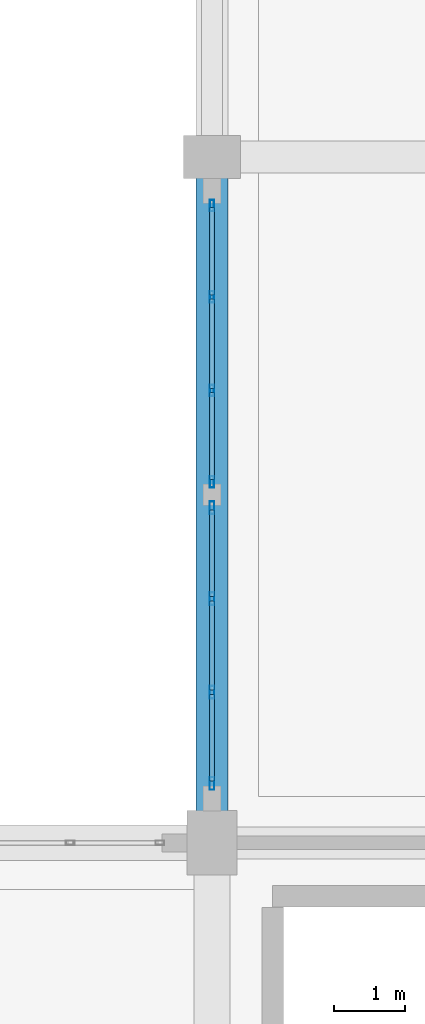
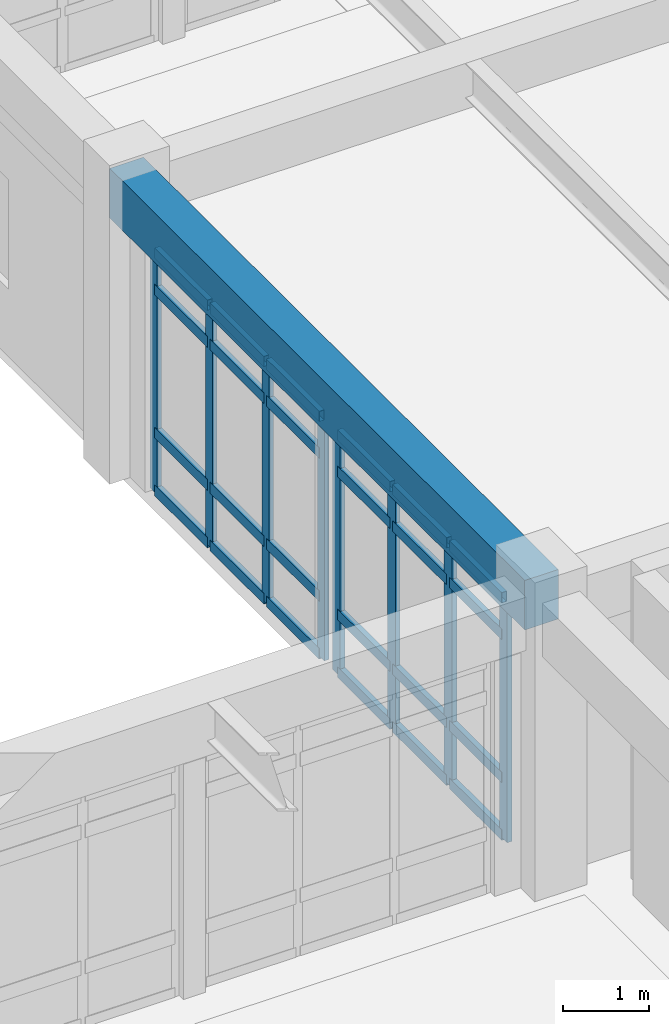
# One storey, part 14 of 109: 32 members, 1 beam, 2 elements without a shape of their own.
"""IFC4 building model written with IfcOpenShell, lengths in metres."""

from ifc_helpers import new_model, si_unit, direction, frame, origin, origin_2d, place, context, subcontext, project, spatial, rectangle, hollow_rectangle, extrude, material, layer, layer_set, material_profile, profile_set, type_object, element, aggregate, save


model = new_model("IFC4")

# Units and contexts
model_context = context("Model", 3, precision=1e-05, world=origin(), true_north=direction((0.0, 1.0)))
body_context = subcontext(model_context, "Body", "Model", "MODEL_VIEW")
ifc_project = project(units=[si_unit("LENGTHUNIT", "METRE"), si_unit("AREAUNIT", "SQUARE_METRE"), si_unit("VOLUMEUNIT", "CUBIC_METRE"), si_unit("PLANEANGLEUNIT", "RADIAN"), si_unit("MASSUNIT", "GRAM", prefix="KILO")], contexts=[model_context])

# Site, building, storey
site_placement = place(None, origin())
site = spatial("IfcSite", under=ifc_project, at=site_placement, CompositionType="ELEMENT")
building_placement = place(site_placement, origin())
building = spatial("IfcBuilding", under=site, at=building_placement, Name="Fikremerkos Civic Library", CompositionType="ELEMENT")
storey_placement = place(building_placement, frame((0.0, 0.0, 5.39990234375)))
storey = spatial("IfcBuildingStorey", under=building, at=storey_placement, Name="L01", CompositionType="ELEMENT", Elevation=5.39990234375)

# Curtain wall, members
ifc_material_1 = material(Name="Anodized aluminium Frame", Category="aluminium")
ifc_layer_1 = layer(ifc_material_1, 0.159912109375, Name="Anodized aluminium Frame")
ifc_layer_set_1 = layer_set([ifc_layer_1], Name="Anodized aluminium Frame")
curtain_wall_type_1 = type_object("IfcCurtainWallType", Name="Unitised curtain wall CW-09 3600x3400", PredefinedType="USERDEFINED", material=ifc_layer_set_1)
curtain_wall_1_placement = place(storey_placement, origin())
curtain_wall_1 = element("IfcCurtainWall", 1, at=curtain_wall_1_placement, inside=storey, type_object=curtain_wall_type_1, Name="Unitised curtain wall CW-09 L01 #81", ObjectType="UNITISED CURTAIN WALL", PredefinedType="USERDEFINED")
ifc_material_profile_1 = material_profile(ifc_material_1, hollow_rectangle(XDim=0.06494140625, YDim=0.179931640625, WallThickness=0.00439453125, at=origin_2d()), Name="ALU 180x65x4.5")
ifc_profile_set_1 = profile_set([ifc_material_profile_1], Name="Anodized aluminium Frame")
member_type_1 = type_object("IfcMemberType", Name="Curtain mullion CWM-01 ALU 180x65x4.5", PredefinedType="MULLION", material=ifc_profile_set_1)
member_1_placement = place(storey_placement, frame((46.199951171875, 32.030517578125, 0.0), z_axis=(0.0, 0.0, 1.0), x_axis=(-1.0, 0.0, 0.0)))
member_1 = element("IfcMember", 2, at=member_1_placement, type_object=member_type_1, Name="CW-09 mullion 1", PredefinedType="MULLION", context=body_context, shape_type="SweptSolid", body=[
    extrude(hollow_rectangle(XDim=0.06494140625, YDim=0.179931640625, WallThickness=0.00439453125, at=origin_2d()), origin(), (0.0, 0.0, 1.0), 3.420166015625),
])
member_2_placement = place(storey_placement, frame((46.199951171875, 33.306884765625, 0.0), z_axis=(0.0, 0.0, 1.0), x_axis=(-1.0, 0.0, 0.0)))
member_2 = element("IfcMember", 3, at=member_2_placement, type_object=member_type_1, Name="CW-09 mullion 2", PredefinedType="MULLION", context=body_context, shape_type="SweptSolid", body=[
    extrude(hollow_rectangle(XDim=0.06494140625, YDim=0.179931640625, WallThickness=0.00439453125, at=origin_2d()), origin(), (0.0, 0.0, 1.0), 3.420166015625),
])
member_3_placement = place(storey_placement, frame((46.199951171875, 34.615966796875, 0.0), z_axis=(0.0, 0.0, 1.0), x_axis=(-1.0, 0.0, 0.0)))
member_3 = element("IfcMember", 4, at=member_3_placement, type_object=member_type_1, Name="CW-09 mullion 3", PredefinedType="MULLION", context=body_context, shape_type="SweptSolid", body=[
    extrude(hollow_rectangle(XDim=0.06494140625, YDim=0.179931640625, WallThickness=0.00439453125, at=origin_2d()), origin(), (0.0, 0.0, 1.0), 3.420166015625),
])
member_4_placement = place(storey_placement, frame((46.199951171875, 35.892578125, 0.0), z_axis=(0.0, 0.0, 1.0), x_axis=(-1.0, 0.0, 0.0)))
member_4 = element("IfcMember", 5, at=member_4_placement, type_object=member_type_1, Name="CW-09 mullion 4", PredefinedType="MULLION", context=body_context, shape_type="SweptSolid", body=[
    extrude(hollow_rectangle(XDim=0.06494140625, YDim=0.179931640625, WallThickness=0.00439453125, at=origin_2d()), origin(), (0.0, 0.0, 1.0), 3.420166015625),
])

ifc_layer_2 = layer(ifc_material_1, 0.159912109375, Name="Anodized aluminium Frame")
ifc_layer_set_2 = layer_set([ifc_layer_2], Name="Anodized aluminium Frame")
curtain_wall_type_2 = type_object("IfcCurtainWallType", Name="Unitised curtain wall CW-10 4000x3400", PredefinedType="USERDEFINED", material=ifc_layer_set_2)
curtain_wall_2_placement = place(storey_placement, origin())
curtain_wall_2 = element("IfcCurtainWall", 6, at=curtain_wall_2_placement, inside=storey, type_object=curtain_wall_type_2, Name="Unitised curtain wall CW-10 L01 #82", ObjectType="UNITISED CURTAIN WALL", PredefinedType="USERDEFINED")
ifc_material_profile_2 = material_profile(ifc_material_1, hollow_rectangle(XDim=0.06005859375, YDim=0.159912109375, WallThickness=0.00390625, at=origin_2d()), Name="ALU 160x60x4")
ifc_profile_set_2 = profile_set([ifc_material_profile_2], Name="Anodized aluminium Frame")
member_type_2 = type_object("IfcMemberType", Name="Curtain mullion CWM-02 ALU 160x60x4", PredefinedType="MULLION", material=ifc_profile_set_2)
member_5_placement = place(storey_placement, frame((46.199951171875, 36.2548828125, 0.0), z_axis=(0.0, 0.0, 1.0), x_axis=(-1.0, 0.0, 0.0)))
member_5 = element("IfcMember", 7, at=member_5_placement, type_object=member_type_2, Name="CW-10 mullion 1", PredefinedType="MULLION", context=body_context, shape_type="SweptSolid", body=[
    extrude(hollow_rectangle(XDim=0.06005859375, YDim=0.159912109375, WallThickness=0.00390625, at=origin_2d()), origin(), (0.0, 0.0, 1.0), 3.420166015625),
])
member_6_placement = place(storey_placement, frame((46.199951171875, 37.533935546875, 0.0), z_axis=(0.0, 0.0, 1.0), x_axis=(-1.0, 0.0, 0.0)))
member_6 = element("IfcMember", 8, at=member_6_placement, type_object=member_type_2, Name="CW-10 mullion 2", PredefinedType="MULLION", context=body_context, shape_type="SweptSolid", body=[
    extrude(hollow_rectangle(XDim=0.06005859375, YDim=0.159912109375, WallThickness=0.00390625, at=origin_2d()), origin(), (0.0, 0.0, 1.0), 3.420166015625),
])
member_7_placement = place(storey_placement, frame((46.199951171875, 38.843017578125, 0.0), z_axis=(0.0, 0.0, 1.0), x_axis=(-1.0, 0.0, 0.0)))
member_7 = element("IfcMember", 9, at=member_7_placement, type_object=member_type_2, Name="CW-10 mullion 3", PredefinedType="MULLION", context=body_context, shape_type="SweptSolid", body=[
    extrude(hollow_rectangle(XDim=0.06005859375, YDim=0.159912109375, WallThickness=0.00390625, at=origin_2d()), origin(), (0.0, 0.0, 1.0), 3.420166015625),
])
member_8_placement = place(storey_placement, frame((46.199951171875, 40.1220703125, 0.0), z_axis=(0.0, 0.0, 1.0), x_axis=(-1.0, 0.0, 0.0)))
member_8 = element("IfcMember", 10, at=member_8_placement, type_object=member_type_2, Name="CW-10 mullion 4", PredefinedType="MULLION", context=body_context, shape_type="SweptSolid", body=[
    extrude(hollow_rectangle(XDim=0.06005859375, YDim=0.159912109375, WallThickness=0.00390625, at=origin_2d()), origin(), (0.0, 0.0, 1.0), 3.420166015625),
])

# Member
ifc_material_profile_3 = material_profile(ifc_material_1, hollow_rectangle(XDim=0.070068359375, YDim=0.14990234375, WallThickness=0.00439453125, at=origin_2d()), Name="ALU 150x70x4.5")
ifc_profile_set_3 = profile_set([ifc_material_profile_3], Name="Anodized aluminium Frame")
member_type_3 = type_object("IfcMemberType", Name="Curtain transom CWT-01 ALU 150x70x4.5", PredefinedType="USERDEFINED", material=ifc_profile_set_3)
member_9_placement = place(storey_placement, frame((46.199951171875, 32.06298828125, 0.03515625), z_axis=(0.0, 1.0, 0.0), x_axis=(-1.0, 0.0, 0.0)))
member_9 = element("IfcMember", 11, at=member_9_placement, type_object=member_type_3, Name="CW-09 transom 1.1", ObjectType="TRANSOM", PredefinedType="USERDEFINED", context=body_context, shape_type="SweptSolid", body=[
    extrude(hollow_rectangle(XDim=0.070068359375, YDim=0.14990234375, WallThickness=0.00439453125, at=origin_2d()), origin(), (0.0, 0.0, 1.0), 1.21142578125),
])

member_10_placement = place(storey_placement, frame((46.199951171875, 32.06298828125, 0.85009765625), z_axis=(0.0, 1.0, 0.0), x_axis=(-1.0, 0.0, 0.0)))
member_10 = element("IfcMember", 12, at=member_10_placement, type_object=member_type_3, Name="CW-09 transom 1.2", ObjectType="TRANSOM", PredefinedType="USERDEFINED", context=body_context, shape_type="SweptSolid", body=[
    extrude(hollow_rectangle(XDim=0.070068359375, YDim=0.14990234375, WallThickness=0.00439453125, at=origin_2d()), origin(), (0.0, 0.0, 1.0), 1.21142578125),
])

member_11_placement = place(storey_placement, frame((46.199951171875, 32.06298828125, 2.8701171875), z_axis=(0.0, 1.0, 0.0), x_axis=(-1.0, 0.0, 0.0)))
member_11 = element("IfcMember", 13, at=member_11_placement, type_object=member_type_3, Name="CW-09 transom 1.3", ObjectType="TRANSOM", PredefinedType="USERDEFINED", context=body_context, shape_type="SweptSolid", body=[
    extrude(hollow_rectangle(XDim=0.070068359375, YDim=0.14990234375, WallThickness=0.00439453125, at=origin_2d()), origin(), (0.0, 0.0, 1.0), 1.21142578125),
])

member_12_placement = place(storey_placement, frame((46.199951171875, 32.06298828125, 3.385009765625), z_axis=(0.0, 1.0, 0.0), x_axis=(-1.0, 0.0, 0.0)))
member_12 = element("IfcMember", 14, at=member_12_placement, type_object=member_type_3, Name="CW-09 transom 1.4", ObjectType="TRANSOM", PredefinedType="USERDEFINED", context=body_context, shape_type="SweptSolid", body=[
    extrude(hollow_rectangle(XDim=0.070068359375, YDim=0.14990234375, WallThickness=0.00439453125, at=origin_2d()), origin(), (0.0, 0.0, 1.0), 1.21142578125),
])

member_13_placement = place(storey_placement, frame((46.199951171875, 33.339599609375, 0.03515625), z_axis=(0.0, 1.0, 0.0), x_axis=(-1.0, 0.0, 0.0)))
member_13 = element("IfcMember", 15, at=member_13_placement, type_object=member_type_3, Name="CW-09 transom 2.1", ObjectType="TRANSOM", PredefinedType="USERDEFINED", context=body_context, shape_type="SweptSolid", body=[
    extrude(hollow_rectangle(XDim=0.070068359375, YDim=0.14990234375, WallThickness=0.00439453125, at=origin_2d()), origin(), (0.0, 0.0, 1.0), 1.243896484375),
])

member_14_placement = place(storey_placement, frame((46.199951171875, 33.339599609375, 0.85009765625), z_axis=(0.0, 1.0, 0.0), x_axis=(-1.0, 0.0, 0.0)))
member_14 = element("IfcMember", 16, at=member_14_placement, type_object=member_type_3, Name="CW-09 transom 2.2", ObjectType="TRANSOM", PredefinedType="USERDEFINED", context=body_context, shape_type="SweptSolid", body=[
    extrude(hollow_rectangle(XDim=0.070068359375, YDim=0.14990234375, WallThickness=0.00439453125, at=origin_2d()), origin(), (0.0, 0.0, 1.0), 1.243896484375),
])

member_15_placement = place(storey_placement, frame((46.199951171875, 33.339599609375, 2.8701171875), z_axis=(0.0, 1.0, 0.0), x_axis=(-1.0, 0.0, 0.0)))
member_15 = element("IfcMember", 17, at=member_15_placement, type_object=member_type_3, Name="CW-09 transom 2.3", ObjectType="TRANSOM", PredefinedType="USERDEFINED", context=body_context, shape_type="SweptSolid", body=[
    extrude(hollow_rectangle(XDim=0.070068359375, YDim=0.14990234375, WallThickness=0.00439453125, at=origin_2d()), origin(), (0.0, 0.0, 1.0), 1.243896484375),
])

member_16_placement = place(storey_placement, frame((46.199951171875, 33.339599609375, 3.385009765625), z_axis=(0.0, 1.0, 0.0), x_axis=(-1.0, 0.0, 0.0)))
member_16 = element("IfcMember", 18, at=member_16_placement, type_object=member_type_3, Name="CW-09 transom 2.4", ObjectType="TRANSOM", PredefinedType="USERDEFINED", context=body_context, shape_type="SweptSolid", body=[
    extrude(hollow_rectangle(XDim=0.070068359375, YDim=0.14990234375, WallThickness=0.00439453125, at=origin_2d()), origin(), (0.0, 0.0, 1.0), 1.243896484375),
])

member_17_placement = place(storey_placement, frame((46.199951171875, 34.6484375, 0.03515625), z_axis=(0.0, 1.0, 0.0), x_axis=(-1.0, 0.0, 0.0)))
member_17 = element("IfcMember", 19, at=member_17_placement, type_object=member_type_3, Name="CW-09 transom 3.1", ObjectType="TRANSOM", PredefinedType="USERDEFINED", context=body_context, shape_type="SweptSolid", body=[
    extrude(hollow_rectangle(XDim=0.070068359375, YDim=0.14990234375, WallThickness=0.00439453125, at=origin_2d()), origin(), (0.0, 0.0, 1.0), 1.211669921875),
])

member_18_placement = place(storey_placement, frame((46.199951171875, 34.6484375, 0.85009765625), z_axis=(0.0, 1.0, 0.0), x_axis=(-1.0, 0.0, 0.0)))
member_18 = element("IfcMember", 20, at=member_18_placement, type_object=member_type_3, Name="CW-09 transom 3.2", ObjectType="TRANSOM", PredefinedType="USERDEFINED", context=body_context, shape_type="SweptSolid", body=[
    extrude(hollow_rectangle(XDim=0.070068359375, YDim=0.14990234375, WallThickness=0.00439453125, at=origin_2d()), origin(), (0.0, 0.0, 1.0), 1.211669921875),
])

member_19_placement = place(storey_placement, frame((46.199951171875, 34.6484375, 2.8701171875), z_axis=(0.0, 1.0, 0.0), x_axis=(-1.0, 0.0, 0.0)))
member_19 = element("IfcMember", 21, at=member_19_placement, type_object=member_type_3, Name="CW-09 transom 3.3", ObjectType="TRANSOM", PredefinedType="USERDEFINED", context=body_context, shape_type="SweptSolid", body=[
    extrude(hollow_rectangle(XDim=0.070068359375, YDim=0.14990234375, WallThickness=0.00439453125, at=origin_2d()), origin(), (0.0, 0.0, 1.0), 1.211669921875),
])

member_20_placement = place(storey_placement, frame((46.199951171875, 34.6484375, 3.385009765625), z_axis=(0.0, 1.0, 0.0), x_axis=(-1.0, 0.0, 0.0)))
member_20 = element("IfcMember", 22, at=member_20_placement, type_object=member_type_3, Name="CW-09 transom 3.4", ObjectType="TRANSOM", PredefinedType="USERDEFINED", context=body_context, shape_type="SweptSolid", body=[
    extrude(hollow_rectangle(XDim=0.070068359375, YDim=0.14990234375, WallThickness=0.00439453125, at=origin_2d()), origin(), (0.0, 0.0, 1.0), 1.211669921875),
])

aggregate(curtain_wall_1, [member_1, member_2, member_3, member_4, member_9, member_10, member_11, member_12, member_13, member_14, member_15, member_16, member_17, member_18, member_19, member_20])

member_21_placement = place(storey_placement, frame((46.199951171875, 36.284912109375, 0.03515625), z_axis=(0.0, 1.0, 0.0), x_axis=(-1.0, 0.0, 0.0)))
member_21 = element("IfcMember", 23, at=member_21_placement, type_object=member_type_3, Name="CW-10 transom 1.1", ObjectType="TRANSOM", PredefinedType="USERDEFINED", context=body_context, shape_type="SweptSolid", body=[
    extrude(hollow_rectangle(XDim=0.070068359375, YDim=0.14990234375, WallThickness=0.00439453125, at=origin_2d()), origin(), (0.0, 0.0, 1.0), 1.218994140625),
])

member_22_placement = place(storey_placement, frame((46.199951171875, 36.284912109375, 0.85009765625), z_axis=(0.0, 1.0, 0.0), x_axis=(-1.0, 0.0, 0.0)))
member_22 = element("IfcMember", 24, at=member_22_placement, type_object=member_type_3, Name="CW-10 transom 1.2", ObjectType="TRANSOM", PredefinedType="USERDEFINED", context=body_context, shape_type="SweptSolid", body=[
    extrude(hollow_rectangle(XDim=0.070068359375, YDim=0.14990234375, WallThickness=0.00439453125, at=origin_2d()), origin(), (0.0, 0.0, 1.0), 1.218994140625),
])

member_23_placement = place(storey_placement, frame((46.199951171875, 36.284912109375, 2.8701171875), z_axis=(0.0, 1.0, 0.0), x_axis=(-1.0, 0.0, 0.0)))
member_23 = element("IfcMember", 25, at=member_23_placement, type_object=member_type_3, Name="CW-10 transom 1.3", ObjectType="TRANSOM", PredefinedType="USERDEFINED", context=body_context, shape_type="SweptSolid", body=[
    extrude(hollow_rectangle(XDim=0.070068359375, YDim=0.14990234375, WallThickness=0.00439453125, at=origin_2d()), origin(), (0.0, 0.0, 1.0), 1.218994140625),
])

member_24_placement = place(storey_placement, frame((46.199951171875, 36.284912109375, 3.385009765625), z_axis=(0.0, 1.0, 0.0), x_axis=(-1.0, 0.0, 0.0)))
member_24 = element("IfcMember", 26, at=member_24_placement, type_object=member_type_3, Name="CW-10 transom 1.4", ObjectType="TRANSOM", PredefinedType="USERDEFINED", context=body_context, shape_type="SweptSolid", body=[
    extrude(hollow_rectangle(XDim=0.070068359375, YDim=0.14990234375, WallThickness=0.00439453125, at=origin_2d()), origin(), (0.0, 0.0, 1.0), 1.218994140625),
])

member_25_placement = place(storey_placement, frame((46.199951171875, 37.56396484375, 0.03515625), z_axis=(0.0, 1.0, 0.0), x_axis=(-1.0, 0.0, 0.0)))
member_25 = element("IfcMember", 27, at=member_25_placement, type_object=member_type_3, Name="CW-10 transom 2.1", ObjectType="TRANSOM", PredefinedType="USERDEFINED", context=body_context, shape_type="SweptSolid", body=[
    extrude(hollow_rectangle(XDim=0.070068359375, YDim=0.14990234375, WallThickness=0.00439453125, at=origin_2d()), origin(), (0.0, 0.0, 1.0), 1.2490234375),
])

member_26_placement = place(storey_placement, frame((46.199951171875, 37.56396484375, 0.85009765625), z_axis=(0.0, 1.0, 0.0), x_axis=(-1.0, 0.0, 0.0)))
member_26 = element("IfcMember", 28, at=member_26_placement, type_object=member_type_3, Name="CW-10 transom 2.2", ObjectType="TRANSOM", PredefinedType="USERDEFINED", context=body_context, shape_type="SweptSolid", body=[
    extrude(hollow_rectangle(XDim=0.070068359375, YDim=0.14990234375, WallThickness=0.00439453125, at=origin_2d()), origin(), (0.0, 0.0, 1.0), 1.2490234375),
])

member_27_placement = place(storey_placement, frame((46.199951171875, 37.56396484375, 2.8701171875), z_axis=(0.0, 1.0, 0.0), x_axis=(-1.0, 0.0, 0.0)))
member_27 = element("IfcMember", 29, at=member_27_placement, type_object=member_type_3, Name="CW-10 transom 2.3", ObjectType="TRANSOM", PredefinedType="USERDEFINED", context=body_context, shape_type="SweptSolid", body=[
    extrude(hollow_rectangle(XDim=0.070068359375, YDim=0.14990234375, WallThickness=0.00439453125, at=origin_2d()), origin(), (0.0, 0.0, 1.0), 1.2490234375),
])

member_28_placement = place(storey_placement, frame((46.199951171875, 37.56396484375, 3.385009765625), z_axis=(0.0, 1.0, 0.0), x_axis=(-1.0, 0.0, 0.0)))
member_28 = element("IfcMember", 30, at=member_28_placement, type_object=member_type_3, Name="CW-10 transom 2.4", ObjectType="TRANSOM", PredefinedType="USERDEFINED", context=body_context, shape_type="SweptSolid", body=[
    extrude(hollow_rectangle(XDim=0.070068359375, YDim=0.14990234375, WallThickness=0.00439453125, at=origin_2d()), origin(), (0.0, 0.0, 1.0), 1.2490234375),
])

member_29_placement = place(storey_placement, frame((46.199951171875, 38.873046875, 0.03515625), z_axis=(0.0, 1.0, 0.0), x_axis=(-1.0, 0.0, 0.0)))
member_29 = element("IfcMember", 31, at=member_29_placement, type_object=member_type_3, Name="CW-10 transom 3.1", ObjectType="TRANSOM", PredefinedType="USERDEFINED", context=body_context, shape_type="SweptSolid", body=[
    extrude(hollow_rectangle(XDim=0.070068359375, YDim=0.14990234375, WallThickness=0.00439453125, at=origin_2d()), origin(), (0.0, 0.0, 1.0), 1.218994140625),
])

member_30_placement = place(storey_placement, frame((46.199951171875, 38.873046875, 0.85009765625), z_axis=(0.0, 1.0, 0.0), x_axis=(-1.0, 0.0, 0.0)))
member_30 = element("IfcMember", 32, at=member_30_placement, type_object=member_type_3, Name="CW-10 transom 3.2", ObjectType="TRANSOM", PredefinedType="USERDEFINED", context=body_context, shape_type="SweptSolid", body=[
    extrude(hollow_rectangle(XDim=0.070068359375, YDim=0.14990234375, WallThickness=0.00439453125, at=origin_2d()), origin(), (0.0, 0.0, 1.0), 1.218994140625),
])

member_31_placement = place(storey_placement, frame((46.199951171875, 38.873046875, 2.8701171875), z_axis=(0.0, 1.0, 0.0), x_axis=(-1.0, 0.0, 0.0)))
member_31 = element("IfcMember", 33, at=member_31_placement, type_object=member_type_3, Name="CW-10 transom 3.3", ObjectType="TRANSOM", PredefinedType="USERDEFINED", context=body_context, shape_type="SweptSolid", body=[
    extrude(hollow_rectangle(XDim=0.070068359375, YDim=0.14990234375, WallThickness=0.00439453125, at=origin_2d()), origin(), (0.0, 0.0, 1.0), 1.218994140625),
])

member_32_placement = place(storey_placement, frame((46.199951171875, 38.873046875, 3.385009765625), z_axis=(0.0, 1.0, 0.0), x_axis=(-1.0, 0.0, 0.0)))
member_32 = element("IfcMember", 34, at=member_32_placement, type_object=member_type_3, Name="CW-10 transom 3.4", ObjectType="TRANSOM", PredefinedType="USERDEFINED", context=body_context, shape_type="SweptSolid", body=[
    extrude(hollow_rectangle(XDim=0.070068359375, YDim=0.14990234375, WallThickness=0.00439453125, at=origin_2d()), origin(), (0.0, 0.0, 1.0), 1.218994140625),
])

aggregate(curtain_wall_2, [member_5, member_6, member_7, member_8, member_21, member_22, member_23, member_24, member_25, member_26, member_27, member_28, member_29, member_30, member_31, member_32])

# Beam
ifc_material_2 = material(Name="Concrete C40/50", Category="concrete")
ifc_material_profile_4 = material_profile(ifc_material_2, rectangle(XDim=0.449951171875, YDim=0.699951171875, at=origin_2d()), Name="RC 450x700")
ifc_profile_set_4 = profile_set([ifc_material_profile_4], Name="Concrete C40/50")
beam_type = type_object("IfcBeamType", Name="Primary girder BM-06 RC 450x700", PredefinedType="BEAM", material=ifc_profile_set_4)
beam_placement = place(storey_placement, frame((46.199951171875, 31.199951171875, 3.8701171875), z_axis=(0.0, 1.0, 0.0), x_axis=(-1.0, 0.0, 0.0)))
element("IfcBeam", 35, at=beam_placement, inside=storey, type_object=beam_type, Name="Primary girder BM-06 L01 grid 5", PredefinedType="BEAM", context=body_context, shape_type="SweptSolid", body=[
    extrude(rectangle(XDim=0.449951171875, YDim=0.699951171875, at=origin_2d()), origin(), (0.0, 0.0, 1.0), 9.60009765625),
])

save(model, "model.ifc")
